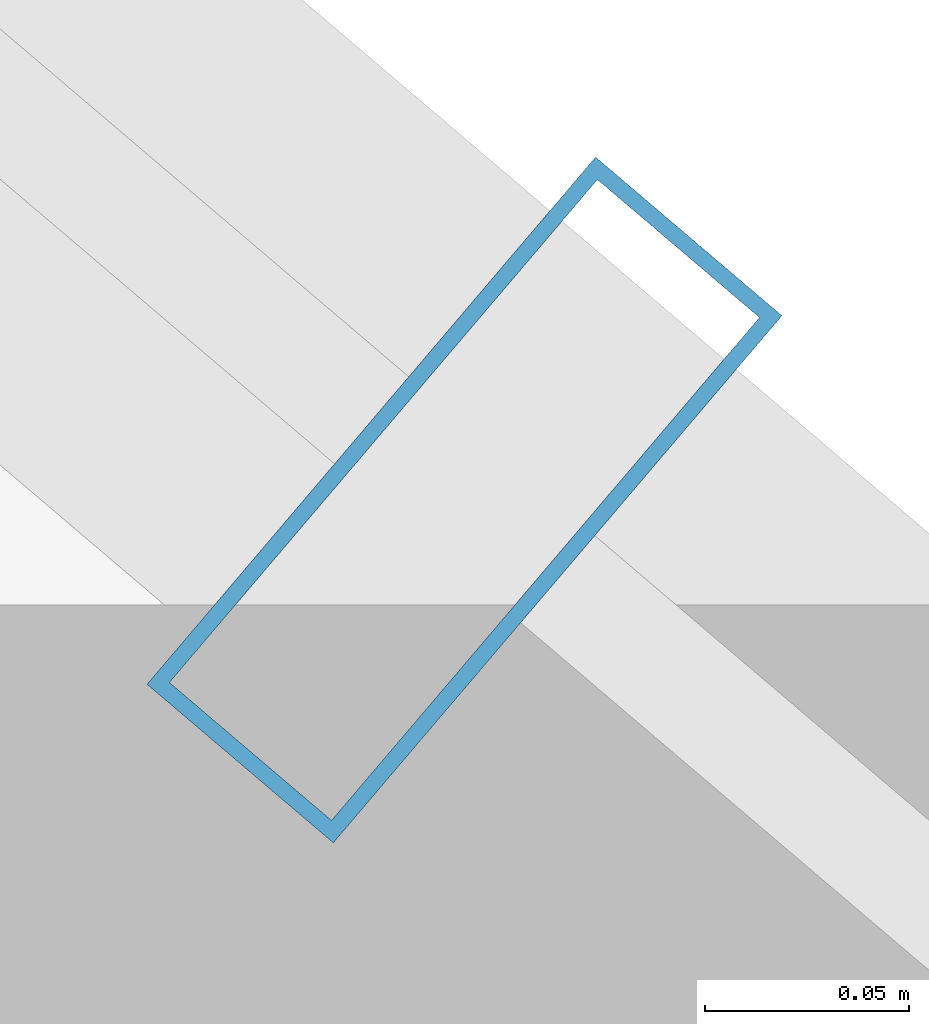
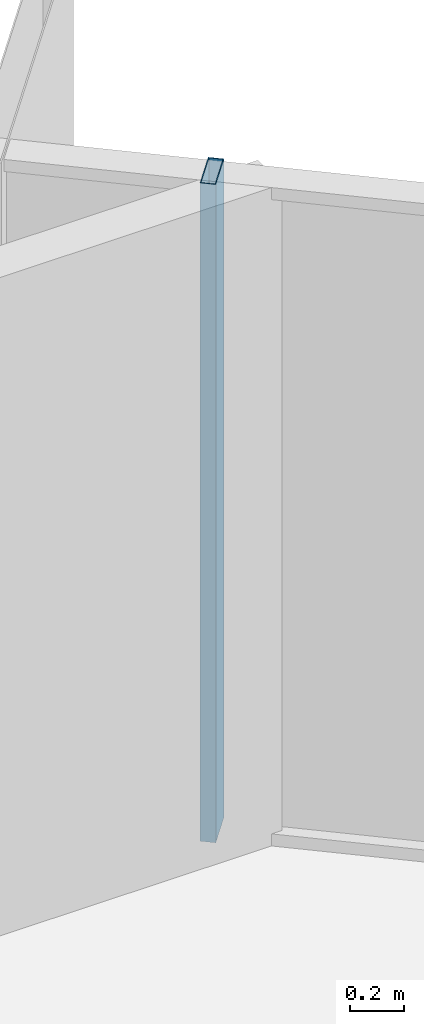
# One storey, part 26 of 33: 1 member, 1 element without a shape of its own.
"""IFC4 building model written with IfcOpenShell, lengths in metres."""

from ifc_helpers import new_model, si_unit, direction, frame, origin, origin_2d, place, context, subcontext, project, spatial, hollow_rectangle, extrude, source, transform, mapped, material, layer, layer_set, material_profile, profile_set, type_object, element, aggregate, save


model = new_model("IFC4")

# Units and contexts
model_context = context("Model", 3, precision=1e-05, world=origin(), true_north=direction((0.0, 1.0)))
body_context = subcontext(model_context, "Body", "Model", "MODEL_VIEW")
ifc_project = project(units=[si_unit("LENGTHUNIT", "METRE"), si_unit("AREAUNIT", "SQUARE_METRE"), si_unit("VOLUMEUNIT", "CUBIC_METRE"), si_unit("PLANEANGLEUNIT", "RADIAN"), si_unit("MASSUNIT", "GRAM", prefix="KILO")], contexts=[model_context])

# Site, building, storey
site_placement = place(None, origin())
site = spatial("IfcSite", under=ifc_project, at=site_placement, CompositionType="ELEMENT")
building_placement = place(site_placement, origin())
building = spatial("IfcBuilding", under=site, at=building_placement, Name="Veraguas Prism Commons", CompositionType="ELEMENT")
storey_placement = place(building_placement, frame((0.0, 0.0, 92.699951171875)))
storey = spatial("IfcBuildingStorey", under=building, at=storey_placement, Name="L25", CompositionType="ELEMENT", Elevation=92.699951171875)

# Curtain wall, member
ifc_material = material(Name="Anodised aluminium EN AW-6063 T6", Category="aluminium")
ifc_layer = layer(ifc_material, 0.169921875, Name="Unitised Flush Curtain Wall Zone 2", Category="aluminium")
ifc_layer_set = layer_set([ifc_layer], Name="Anodised aluminium EN AW-6063 T6")
curtain_wall_type = type_object("IfcCurtainWallType", Name="Unitised Flush Curtain Wall Zone 2", PredefinedType="NOTDEFINED", material=ifc_layer_set)
curtain_wall_placement = place(storey_placement, origin())
curtain_wall = element("IfcCurtainWall", 1, at=curtain_wall_placement, inside=storey, type_object=curtain_wall_type, Name="Tower Facade Curtain Wall L25-F1", PredefinedType="NOTDEFINED")
ifc_material_profile = material_profile(ifc_material, hollow_rectangle(XDim=0.06005859375, YDim=0.169921875, WallThickness=0.00390625, at=origin_2d()), Name="AL60X170X4")
ifc_profile_set = profile_set([ifc_material_profile], Name="Anodised aluminium EN AW-6063 T6")
member_type = type_object("IfcMemberType", Name="Curtain Wall Mullion Lower AL 60x170x4", PredefinedType="MULLION", material=ifc_profile_set)
shared_shape = source(origin(), body_context, "Body", "SweptSolid", [
    extrude(hollow_rectangle(XDim=0.06005859375, YDim=0.169921875, WallThickness=0.00390625, at=origin_2d()), origin(), (0.0, 0.0, 1.0), 3.0),
])
member_placement = place(storey_placement, frame((39.713623046875, 35.815673828125, 0.0), z_axis=(0.0, 0.0, 1.0), x_axis=(-0.761540569897, 0.648117242789, 0.0)))
member = element("IfcMember", 2, at=member_placement, type_object=member_type, Name="CW-Z2 Mullion 2", PredefinedType="MULLION", context=body_context, shape_type="MappedRepresentation", body=[
    mapped(shared_shape, transform((0.0, 0.0, 0.0), scale=1.0)),
])
aggregate(curtain_wall, [member])

save(model, "model.ifc")
